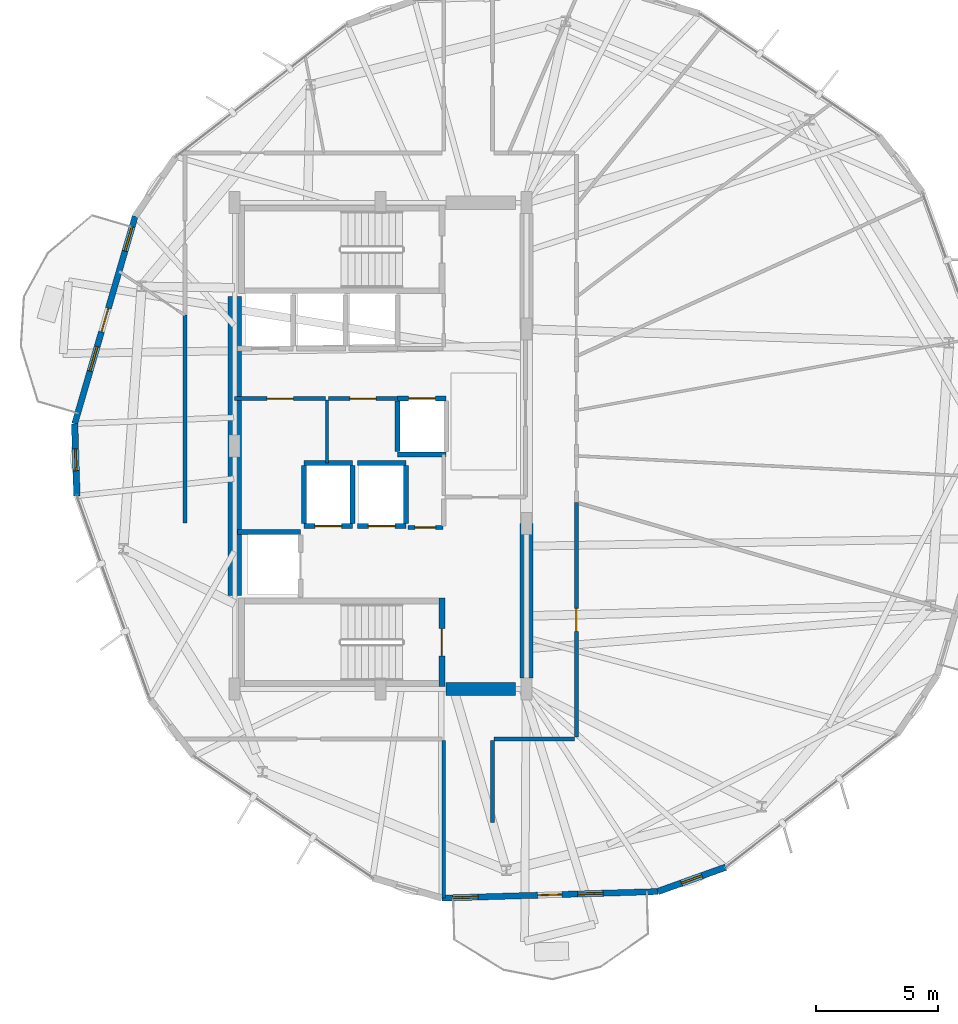
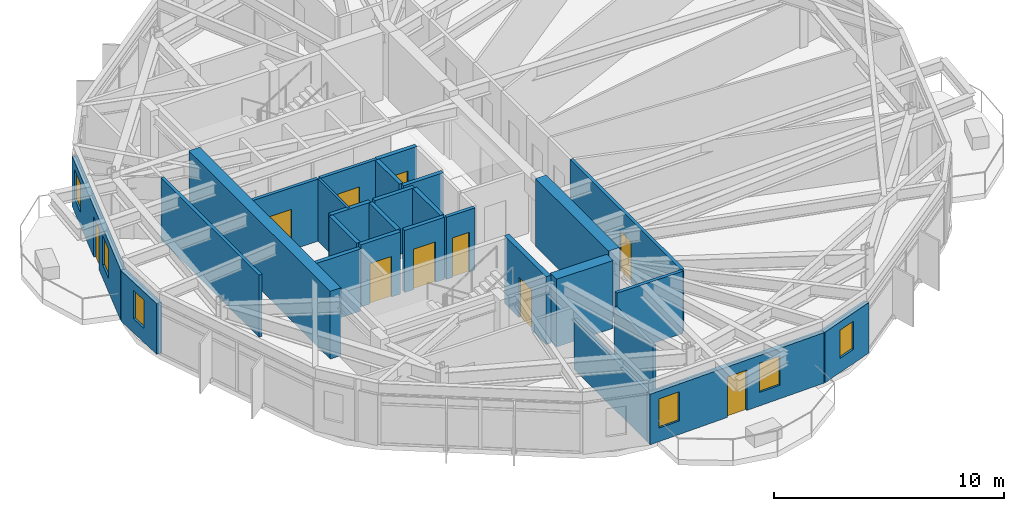
# One storey, part 18 of 23: 28 walls, 10 doors, 6 windows, 16 openings.
"""IFC4 building model written with IfcOpenShell, lengths in metres."""

from ifc_helpers import new_model, si_unit, direction, frame, frame_2d, origin, place, context, subcontext, project, spatial, rectangle, extrude, material, layer, layer_set, type_object, element, fill, save


model = new_model("IFC4")

# Units and contexts
model_context = context("Model", 3, precision=1e-05, world=origin(), true_north=direction((0.0, 1.0)))
body_context = subcontext(model_context, "Body", "Model", "MODEL_VIEW")
ifc_project = project(units=[si_unit("LENGTHUNIT", "METRE"), si_unit("AREAUNIT", "SQUARE_METRE"), si_unit("VOLUMEUNIT", "CUBIC_METRE"), si_unit("PLANEANGLEUNIT", "RADIAN"), si_unit("MASSUNIT", "GRAM", prefix="KILO")], contexts=[model_context])

# Site, building, storey
site_placement = place(None, origin())
site = spatial("IfcSite", under=ifc_project, at=site_placement, CompositionType="ELEMENT")
building_placement = place(site_placement, origin())
building = spatial("IfcBuilding", under=site, at=building_placement, Name="Soratama Intermodal Tower", CompositionType="ELEMENT")
storey_placement = place(building_placement, frame((0.0, 0.0, 171.39990234375)))
storey = spatial("IfcBuildingStorey", under=building, at=storey_placement, Name="L42", CompositionType="ELEMENT", Elevation=171.39990234375)

# Wall, openings, door, windows
ifc_material_1 = material(Name="Concrete f'c 42 MPa", Category="concrete")
ifc_layer_1 = layer(ifc_material_1, 0.25)
ifc_layer_set_1 = layer_set([ifc_layer_1], Name="Concrete f'c 42 MPa")
wall_type_1 = type_object("IfcWallType", Name="EW-BAL-250", PredefinedType="SOLIDWALL", material=ifc_layer_set_1)
wall_1_placement = place(storey_placement, frame((28.5078125, 34.438720703125, 0.0), z_axis=(0.0, 0.0, 1.0), x_axis=(-0.28, -0.96, 0.0)))
wall_1 = element("IfcWall", 1, at=wall_1_placement, inside=storey, type_object=wall_type_1, Name="L42 Terrace Wall F04", PredefinedType="SOLIDWALL", context=body_context, shape_type="SweptSolid", body=[
    extrude(rectangle(XDim=8.88671875, YDim=0.25, at=frame_2d((4.443359375, 0.0))), origin(), (0.0, 0.0, 1.0), 2.67919921875),
])
opening_1_placement = place(wall_1_placement, frame((3.943359375, 0.0, 0.0)))
opening_1 = element("IfcOpeningElement", 2, at=opening_1_placement, cuts=wall_1, Name="Opening ED-2", PredefinedType="OPENING", context=body_context, shape_type="SweptSolid", body=[
    extrude(rectangle(XDim=1.0, YDim=2.14990234375, at=frame_2d((0.5, 1.074951171875))), frame((0.0, 0.135009765625, 0.0), z_axis=(0.0, -1.0, 0.0), x_axis=(1.0, 0.0, 0.0)), (0.0, 0.0, 1.0), 0.27001953125),
])
opening_2_placement = place(wall_1_placement, frame((0.43994140625, 0.0, 0.719970703125)))
opening_2 = element("IfcOpeningElement", 3, at=opening_2_placement, cuts=wall_1, Name="Opening WN-5", PredefinedType="OPENING", context=body_context, shape_type="SweptSolid", body=[
    extrude(rectangle(XDim=1.050048828125, YDim=1.550048828125, at=frame_2d((0.52490234375, 0.77490234375))), frame((0.0, 0.135009765625, 0.0), z_axis=(0.0, -1.0, 0.0), x_axis=(1.0, 0.0, 0.0)), (0.0, 0.0, 1.0), 0.27001953125),
])
opening_3_placement = place(wall_1_placement, frame((5.583251953125, 0.0, 0.719970703125)))
opening_3 = element("IfcOpeningElement", 4, at=opening_3_placement, cuts=wall_1, Name="Opening WN-5", PredefinedType="OPENING", context=body_context, shape_type="SweptSolid", body=[
    extrude(rectangle(XDim=1.050048828125, YDim=1.550048828125, at=frame_2d((0.52490234375, 0.77490234375))), frame((0.0, 0.135009765625, 0.0), z_axis=(0.0, -1.0, 0.0), x_axis=(1.0, 0.0, 0.0)), (0.0, 0.0, 1.0), 0.27001953125),
])
ifc_material_2 = material(Name="Double-glazed aluminium door", Category="aluminium")
door_type_1 = type_object("IfcDoorType", Name="DR-BAL-1000", OperationType="NOTDEFINED", PredefinedType="DOOR", material=ifc_material_2)
door_1_placement = place(opening_1_placement, origin())
door_1 = element("IfcDoor", 5, at=door_1_placement, inside=storey, type_object=door_type_1, Name="L42 Balcony Door F04", OperationType="SINGLE_SWING_RIGHT", OverallHeight=2.14990234375, OverallWidth=1.0, PredefinedType="DOOR", context=body_context, shape_type="SweptSolid", body=[
    extrude(rectangle(XDim=1.0, YDim=2.14990234375, at=frame_2d((0.5, 1.074951171875))), frame((0.0, 0.02490234375, 0.0), z_axis=(0.0, -1.0, 0.0), x_axis=(1.0, 0.0, 0.0)), (0.0, 0.0, 1.0), 0.050048828125),
])
fill(opening_1, door_1)
ifc_material_3 = material(Name="Double-glazed aluminium window", Category="aluminium")
window_type_1 = type_object("IfcWindowType", Name="WN-FAC-1050", PartitioningType="SINGLE_PANEL", PredefinedType="WINDOW", material=ifc_material_3)
window_1_placement = place(opening_2_placement, origin())
window_1 = element("IfcWindow", 6, at=window_1_placement, inside=storey, type_object=window_type_1, Name="L42 Window A F04", OverallHeight=1.550048828125, OverallWidth=1.050048828125, PartitioningType="SINGLE_PANEL", PredefinedType="WINDOW", context=body_context, shape_type="SweptSolid", body=[
    extrude(rectangle(XDim=1.050048828125, YDim=1.550048828125, at=frame_2d((0.52490234375, 0.77490234375))), frame((0.0, 0.030029296875, 0.0), z_axis=(0.0, -1.0, 0.0), x_axis=(1.0, 0.0, 0.0)), (0.0, 0.0, 1.0), 0.06005859375),
])
fill(opening_2, window_1)
window_2_placement = place(opening_3_placement, origin())
window_2 = element("IfcWindow", 7, at=window_2_placement, inside=storey, type_object=window_type_1, Name="L42 Window B F04", OverallHeight=1.550048828125, OverallWidth=1.050048828125, PartitioningType="SINGLE_PANEL", PredefinedType="WINDOW", context=body_context, shape_type="SweptSolid", body=[
    extrude(rectangle(XDim=1.050048828125, YDim=1.550048828125, at=frame_2d((0.52490234375, 0.77490234375))), frame((0.0, 0.030029296875, 0.0), z_axis=(0.0, -1.0, 0.0), x_axis=(1.0, 0.0, 0.0)), (0.0, 0.0, 1.0), 0.06005859375),
])
fill(opening_3, window_2)

wall_2_placement = place(storey_placement, frame((41.11962890625, 6.3984375, 0.0), z_axis=(0.0, 0.0, 1.0), x_axis=(0.999539110065, 0.030357329429, 0.0)))
wall_2 = element("IfcWall", 8, at=wall_2_placement, inside=storey, type_object=wall_type_1, Name="L42 Terrace Wall F07", PredefinedType="SOLIDWALL", context=body_context, shape_type="SweptSolid", body=[
    extrude(rectangle(XDim=8.88671875, YDim=0.25, at=frame_2d((4.443359375, 0.0))), origin(), (0.0, 0.0, 1.0), 2.67919921875),
])
opening_4_placement = place(wall_2_placement, frame((3.943359375, 0.0, 0.0)))
opening_4 = element("IfcOpeningElement", 9, at=opening_4_placement, cuts=wall_2, Name="Opening ED-2", PredefinedType="OPENING", context=body_context, shape_type="SweptSolid", body=[
    extrude(rectangle(XDim=1.0, YDim=2.14990234375, at=frame_2d((0.5, 1.074951171875))), frame((0.0, 0.135009765625, 0.0), z_axis=(0.0, -1.0, 0.0), x_axis=(1.0, 0.0, 0.0)), (0.0, 0.0, 1.0), 0.27001953125),
])
opening_5_placement = place(wall_2_placement, frame((0.43994140625, 0.0, 0.719970703125)))
opening_5 = element("IfcOpeningElement", 10, at=opening_5_placement, cuts=wall_2, Name="Opening WN-5", PredefinedType="OPENING", context=body_context, shape_type="SweptSolid", body=[
    extrude(rectangle(XDim=1.050048828125, YDim=1.550048828125, at=frame_2d((0.52490234375, 0.77490234375))), frame((0.0, 0.135009765625, 0.0), z_axis=(0.0, -1.0, 0.0), x_axis=(1.0, 0.0, 0.0)), (0.0, 0.0, 1.0), 0.27001953125),
])
opening_6_placement = place(wall_2_placement, frame((5.583251953125, 0.0, 0.719970703125)))
opening_6 = element("IfcOpeningElement", 11, at=opening_6_placement, cuts=wall_2, Name="Opening WN-5", PredefinedType="OPENING", context=body_context, shape_type="SweptSolid", body=[
    extrude(rectangle(XDim=1.050048828125, YDim=1.550048828125, at=frame_2d((0.52490234375, 0.77490234375))), frame((0.0, 0.135009765625, 0.0), z_axis=(0.0, -1.0, 0.0), x_axis=(1.0, 0.0, 0.0)), (0.0, 0.0, 1.0), 0.27001953125),
])
door_2_placement = place(opening_4_placement, origin())
door_2 = element("IfcDoor", 12, at=door_2_placement, inside=storey, type_object=door_type_1, Name="L42 Balcony Door F07", OperationType="SINGLE_SWING_LEFT", OverallHeight=2.14990234375, OverallWidth=1.0, PredefinedType="DOOR", context=body_context, shape_type="SweptSolid", body=[
    extrude(rectangle(XDim=1.0, YDim=2.14990234375, at=frame_2d((0.5, 1.074951171875))), frame((0.0, 0.02490234375, 0.0), z_axis=(0.0, -1.0, 0.0), x_axis=(1.0, 0.0, 0.0)), (0.0, 0.0, 1.0), 0.050048828125),
])
fill(opening_4, door_2)
window_3_placement = place(opening_5_placement, origin())
window_3 = element("IfcWindow", 13, at=window_3_placement, inside=storey, type_object=window_type_1, Name="L42 Window A F07", OverallHeight=1.550048828125, OverallWidth=1.050048828125, PartitioningType="SINGLE_PANEL", PredefinedType="WINDOW", context=body_context, shape_type="SweptSolid", body=[
    extrude(rectangle(XDim=1.050048828125, YDim=1.550048828125, at=frame_2d((0.52490234375, 0.77490234375))), frame((0.0, 0.030029296875, 0.0), z_axis=(0.0, -1.0, 0.0), x_axis=(1.0, 0.0, 0.0)), (0.0, 0.0, 1.0), 0.06005859375),
])
fill(opening_5, window_3)
window_4_placement = place(opening_6_placement, origin())
window_4 = element("IfcWindow", 14, at=window_4_placement, inside=storey, type_object=window_type_1, Name="L42 Window B F07", OverallHeight=1.550048828125, OverallWidth=1.050048828125, PartitioningType="SINGLE_PANEL", PredefinedType="WINDOW", context=body_context, shape_type="SweptSolid", body=[
    extrude(rectangle(XDim=1.050048828125, YDim=1.550048828125, at=frame_2d((0.52490234375, 0.77490234375))), frame((0.0, 0.030029296875, 0.0), z_axis=(0.0, -1.0, 0.0), x_axis=(1.0, 0.0, 0.0)), (0.0, 0.0, 1.0), 0.06005859375),
])
fill(opening_6, window_4)

# Wall, opening, window
ifc_material_4 = material(Name="Concrete f'c 42 MPa", Category="concrete")
ifc_layer_2 = layer(ifc_material_4, 0.27001953125)
ifc_layer_set_2 = layer_set([ifc_layer_2], Name="Concrete f'c 42 MPa")
wall_type_2 = type_object("IfcWallType", Name="EW-CRN-270", PredefinedType="SOLIDWALL", material=ifc_layer_set_2)
wall_3_placement = place(storey_placement, frame((26.01953125, 25.907470703125, 0.0), z_axis=(0.0, 0.0, 1.0), x_axis=(0.030366361796, -0.999538835699, 0.0)))
wall_3 = element("IfcWall", 15, at=wall_3_placement, inside=storey, type_object=wall_type_2, Name="L42 Corner Closure Wall 04", PredefinedType="SOLIDWALL", context=body_context, shape_type="SweptSolid", body=[
    extrude(rectangle(XDim=2.966796875, YDim=0.27001953125, at=frame_2d((1.4833984375, 0.0))), origin(), (0.0, 0.0, 1.0), 2.67919921875),
])
opening_7_placement = place(wall_3_placement, frame((1.033203125, 0.0, 0.75)))
opening_7 = element("IfcOpeningElement", 16, at=opening_7_placement, cuts=wall_3, Name="Opening WN-6", PredefinedType="OPENING", context=body_context, shape_type="SweptSolid", body=[
    extrude(rectangle(XDim=0.89990234375, YDim=1.5, at=frame_2d((0.449951171875, 0.75))), frame((0.0, 0.14501953125, 0.0), z_axis=(0.0, -1.0, 0.0), x_axis=(1.0, 0.0, 0.0)), (0.0, 0.0, 1.0), 0.2900390625),
])
ifc_material_5 = material(Name="Double-glazed aluminium window", Category="aluminium")
window_type_2 = type_object("IfcWindowType", Name="WN-FAC-900", PartitioningType="SINGLE_PANEL", PredefinedType="WINDOW", material=ifc_material_5)
window_5_placement = place(opening_7_placement, origin())
window_5 = element("IfcWindow", 17, at=window_5_placement, inside=storey, type_object=window_type_2, Name="L42 Corner Window 04", OverallHeight=1.5, OverallWidth=0.89990234375, PartitioningType="SINGLE_PANEL", PredefinedType="WINDOW", context=body_context, shape_type="SweptSolid", body=[
    extrude(rectangle(XDim=0.89990234375, YDim=1.5, at=frame_2d((0.449951171875, 0.75))), frame((0.0, 0.030029296875, 0.0), z_axis=(0.0, -1.0, 0.0), x_axis=(1.0, 0.0, 0.0)), (0.0, 0.0, 1.0), 0.06005859375),
])
fill(opening_7, window_5)

wall_4_placement = place(storey_placement, frame((50.002197265625, 6.668212890625, 0.0), z_axis=(0.0, 0.0, 1.0), x_axis=(0.94123626771, 0.337748853955, 0.0)))
wall_4 = element("IfcWall", 18, at=wall_4_placement, inside=storey, type_object=wall_type_2, Name="L42 Corner Closure Wall 07", PredefinedType="SOLIDWALL", context=body_context, shape_type="SweptSolid", body=[
    extrude(rectangle(XDim=2.966552734375, YDim=0.27001953125, at=frame_2d((1.4833984375, 0.0))), origin(), (0.0, 0.0, 1.0), 2.67919921875),
])
opening_8_placement = place(wall_4_placement, frame((1.033203125, 0.0, 0.75)))
opening_8 = element("IfcOpeningElement", 19, at=opening_8_placement, cuts=wall_4, Name="Opening WN-6", PredefinedType="OPENING", context=body_context, shape_type="SweptSolid", body=[
    extrude(rectangle(XDim=0.89990234375, YDim=1.5, at=frame_2d((0.449951171875, 0.75))), frame((0.0, 0.14501953125, 0.0), z_axis=(0.0, -1.0, 0.0), x_axis=(1.0, 0.0, 0.0)), (0.0, 0.0, 1.0), 0.2900390625),
])
window_6_placement = place(opening_8_placement, origin())
window_6 = element("IfcWindow", 20, at=window_6_placement, inside=storey, type_object=window_type_2, Name="L42 Corner Window 07", OverallHeight=1.5, OverallWidth=0.89990234375, PartitioningType="SINGLE_PANEL", PredefinedType="WINDOW", context=body_context, shape_type="SweptSolid", body=[
    extrude(rectangle(XDim=0.89990234375, YDim=1.5, at=frame_2d((0.449951171875, 0.75))), frame((0.0, 0.030029296875, 0.0), z_axis=(0.0, -1.0, 0.0), x_axis=(1.0, 0.0, 0.0)), (0.0, 0.0, 1.0), 0.06005859375),
])
fill(opening_8, window_6)

# Wall, opening, door
ifc_material_6 = material(Name="Fire-rated gypsum stud partition", Category="concrete")
ifc_layer_3 = layer(ifc_material_6, 0.159912109375)
ifc_layer_set_3 = layer_set([ifc_layer_3], Name="Fire-rated gypsum stud partition")
wall_type_3 = type_object("IfcWallType", Name="IW-PART-R160", PredefinedType="PARTITIONING", material=ifc_layer_set_3)
wall_5_placement = place(storey_placement, frame((46.64990234375, 22.66796875, 0.0), z_axis=(0.0, 0.0, 1.0), x_axis=(0.0, -1.0, 0.0)))
wall_5 = element("IfcWall", 21, at=wall_5_placement, inside=storey, type_object=wall_type_3, Name="L42 Partition W-L42-TP007", PredefinedType="PARTITIONING", context=body_context, shape_type="SweptSolid", body=[
    extrude(rectangle(XDim=9.64794921875, YDim=0.159912109375, at=frame_2d((4.823974609375, 0.0))), origin(), (0.0, 0.0, 1.0), 3.300048828125),
])
opening_9_placement = place(wall_5_placement, frame((4.34912109375, 0.0, 0.0)))
opening_9 = element("IfcOpeningElement", 22, at=opening_9_placement, cuts=wall_5, Name="Opening ID-3", PredefinedType="OPENING", context=body_context, shape_type="SweptSolid", body=[
    extrude(rectangle(XDim=0.949951171875, YDim=2.14990234375, at=frame_2d((0.47509765625, 1.074951171875))), frame((0.0, 0.08984375, 0.0), z_axis=(0.0, -1.0, 0.0), x_axis=(1.0, 0.0, 0.0)), (0.0, 0.0, 1.0), 0.179931640625),
])
ifc_material_7 = material(Name="Solid hardwood acoustic door", Category="wood")
door_type_2 = type_object("IfcDoorType", Name="DR-ROOM-950", OperationType="NOTDEFINED", PredefinedType="DOOR", material=ifc_material_7)
door_3_placement = place(opening_9_placement, origin())
door_3 = element("IfcDoor", 23, at=door_3_placement, inside=storey, type_object=door_type_2, Name="L42 Door D-L42-TP002", OperationType="SINGLE_SWING_LEFT", OverallHeight=2.14990234375, OverallWidth=0.949951171875, PredefinedType="DOOR", context=body_context, shape_type="SweptSolid", body=[
    extrude(rectangle(XDim=0.949951171875, YDim=2.14990234375, at=frame_2d((0.47509765625, 1.074951171875))), frame((0.0, 0.02490234375, 0.0), z_axis=(0.0, -1.0, 0.0), x_axis=(1.0, 0.0, 0.0)), (0.0, 0.0, 1.0), 0.050048828125),
])
fill(opening_9, door_3)

# Wall
wall_6_placement = place(storey_placement, frame((41.199951171875, 6.40087890625, 0.0), z_axis=(0.0, 0.0, 1.0), x_axis=(0.0, 1.0, 0.0)))
element("IfcWall", 24, at=wall_6_placement, inside=storey, type_object=wall_type_3, Name="L42 Partition W-L42-TP012", PredefinedType="PARTITIONING", context=body_context, shape_type="SweptSolid", body=[
    extrude(rectangle(XDim=6.47900390625, YDim=0.159912109375, at=frame_2d((3.239501953125, 0.0))), origin(), (0.0, 0.0, 1.0), 2.677978515625),
])

# Wall, opening, door
wall_7_placement = place(storey_placement, frame((36.340087890625, 26.93994140625, 0.0), z_axis=(0.0, 0.0, 1.0), x_axis=(-1.0, 0.0, 0.0)))
wall_7 = element("IfcWall", 25, at=wall_7_placement, inside=storey, type_object=wall_type_3, Name="L42 Partition W-L42-TP019", PredefinedType="PARTITIONING", context=body_context, shape_type="SweptSolid", body=[
    extrude(rectangle(XDim=3.739990234375, YDim=0.159912109375, at=frame_2d((1.8701171875, 0.0))), origin(), (0.0, 0.0, 1.0), 3.300048828125),
])
opening_10_placement = place(wall_7_placement, frame((1.330078125, 0.0, 0.0)))
opening_10 = element("IfcOpeningElement", 26, at=opening_10_placement, cuts=wall_7, Name="Opening ID-1", PredefinedType="OPENING", context=body_context, shape_type="SweptSolid", body=[
    extrude(rectangle(XDim=1.080078125, YDim=2.14990234375, at=frame_2d((0.5400390625, 1.074951171875))), frame((0.0, 0.08984375, 0.0), z_axis=(0.0, -1.0, 0.0), x_axis=(1.0, 0.0, 0.0)), (0.0, 0.0, 1.0), 0.179931640625),
])
ifc_material_8 = material(Name="Solid hardwood acoustic door", Category="wood")
door_type_3 = type_object("IfcDoorType", Name="DR-LOB-FD60", OperationType="NOTDEFINED", PredefinedType="DOOR", material=ifc_material_8)
door_4_placement = place(opening_10_placement, origin())
door_4 = element("IfcDoor", 27, at=door_4_placement, inside=storey, type_object=door_type_3, Name="L42 Door D-L42-TP009", OperationType="SINGLE_SWING_RIGHT", OverallHeight=2.14990234375, OverallWidth=1.080078125, PredefinedType="DOOR", context=body_context, shape_type="SweptSolid", body=[
    extrude(rectangle(XDim=1.080078125, YDim=2.14990234375, at=frame_2d((0.5400390625, 1.074951171875))), frame((0.0, 0.02490234375, 0.0), z_axis=(0.0, -1.0, 0.0), x_axis=(1.0, 0.0, 0.0)), (0.0, 0.0, 1.0), 0.050048828125),
])
fill(opening_10, door_4)

# Wall
wall_8_placement = place(storey_placement, frame((46.580078125, 12.949951171875, 0.0), z_axis=(0.0, 0.0, 1.0), x_axis=(-1.0, 0.0, 0.0)))
element("IfcWall", 28, at=wall_8_placement, inside=storey, type_object=wall_type_3, Name="L42 Partition W-L42-TP021", PredefinedType="PARTITIONING", context=body_context, shape_type="SweptSolid", body=[
    extrude(rectangle(XDim=3.31005859375, YDim=0.159912109375, at=frame_2d((1.655029296875, 0.0))), origin(), (0.0, 0.0, 1.0), 3.300048828125),
])

# Wall, opening, door
wall_9_placement = place(storey_placement, frame((39.300048828125, 26.93994140625, 0.0), z_axis=(0.0, 0.0, 1.0), x_axis=(-1.0, 0.0, 0.0)))
wall_9 = element("IfcWall", 29, at=wall_9_placement, inside=storey, type_object=wall_type_3, Name="L42 Partition W-L42-TP023", PredefinedType="PARTITIONING", context=body_context, shape_type="SweptSolid", body=[
    extrude(rectangle(XDim=2.840087890625, YDim=0.159912109375, at=frame_2d((1.419921875, 0.0))), origin(), (0.0, 0.0, 1.0), 3.300048828125),
])
opening_11_placement = place(wall_9_placement, frame((0.8798828125, 0.0, 0.0)))
opening_11 = element("IfcOpeningElement", 30, at=opening_11_placement, cuts=wall_9, Name="Opening ID-1", PredefinedType="OPENING", context=body_context, shape_type="SweptSolid", body=[
    extrude(rectangle(XDim=1.080078125, YDim=2.14990234375, at=frame_2d((0.5400390625, 1.074951171875))), frame((0.0, 0.08984375, 0.0), z_axis=(0.0, -1.0, 0.0), x_axis=(1.0, 0.0, 0.0)), (0.0, 0.0, 1.0), 0.179931640625),
])
door_5_placement = place(opening_11_placement, origin())
door_5 = element("IfcDoor", 31, at=door_5_placement, inside=storey, type_object=door_type_3, Name="L42 Door D-L42-TP011", OperationType="SINGLE_SWING_RIGHT", OverallHeight=2.14990234375, OverallWidth=1.080078125, PredefinedType="DOOR", context=body_context, shape_type="SweptSolid", body=[
    extrude(rectangle(XDim=1.080078125, YDim=2.14990234375, at=frame_2d((0.5400390625, 1.074951171875))), frame((0.0, 0.02490234375, 0.0), z_axis=(0.0, -1.0, 0.0), x_axis=(1.0, 0.0, 0.0)), (0.0, 0.0, 1.0), 0.050048828125),
])
fill(opening_11, door_5)

# Walls
wall_10_placement = place(storey_placement, frame((30.550048828125, 21.825927734375, 0.0), z_axis=(0.0, 0.0, 1.0), x_axis=(0.0, 1.0, 0.0)))
element("IfcWall", 32, at=wall_10_placement, inside=storey, type_object=wall_type_3, Name="L42 Partition W-L42-TP037", PredefinedType="PARTITIONING", context=body_context, shape_type="SweptSolid", body=[
    extrude(rectangle(XDim=8.544189453125, YDim=0.159912109375, at=frame_2d((4.27197265625, 0.0))), origin(), (0.0, 0.0, 1.0), 3.300048828125),
])
wall_11_placement = place(storey_placement, frame((43.199951171875, 12.8798828125, 0.0), z_axis=(0.0, 0.0, 1.0), x_axis=(0.0, -1.0, 0.0)))
element("IfcWall", 33, at=wall_11_placement, inside=storey, type_object=wall_type_3, Name="L42 Partition W-L42-TP038", PredefinedType="PARTITIONING", context=body_context, shape_type="SweptSolid", body=[
    extrude(rectangle(XDim=3.375, YDim=0.159912109375, at=frame_2d((1.6875, 0.0))), origin(), (0.0, 0.0, 1.0), 2.59521484375),
])

# Wall, opening, door
ifc_material_9 = material(Name="Fire-rated gypsum stud partition", Category="concrete")
ifc_layer_4 = layer(ifc_material_9, 0.169921875)
ifc_layer_set_4 = layer_set([ifc_layer_4], Name="Fire-rated gypsum stud partition")
wall_type_4 = type_object("IfcWallType", Name="IW-PART-R170", PredefinedType="PARTITIONING", material=ifc_layer_set_4)
wall_12_placement = place(storey_placement, frame((39.719970703125, 21.639892578125, 0.0), z_axis=(0.0, 0.0, 1.0), x_axis=(1.0, 0.0, 0.0)))
wall_12 = element("IfcWall", 34, at=wall_12_placement, inside=storey, type_object=wall_type_4, Name="L42 Partition W-L42-TP034", PredefinedType="PARTITIONING", context=body_context, shape_type="SweptSolid", body=[
    extrude(rectangle(XDim=1.43994140625, YDim=0.169921875, at=frame_2d((0.719970703125, 0.0))), origin(), (0.0, 0.0, 1.0), 3.300048828125),
])
opening_12_placement = place(wall_12_placement, frame((0.294921875, 0.0, 0.0)))
opening_12 = element("IfcOpeningElement", 35, at=opening_12_placement, cuts=wall_12, Name="Opening ID-4", PredefinedType="OPENING", context=body_context, shape_type="SweptSolid", body=[
    extrude(rectangle(XDim=0.85009765625, YDim=2.10009765625, at=frame_2d((0.425048828125, 1.050048828125))), frame((0.0, 0.094970703125, 0.0), z_axis=(0.0, -1.0, 0.0), x_axis=(1.0, 0.0, 0.0)), (0.0, 0.0, 1.0), 0.18994140625),
])
ifc_material_10 = material(Name="Solid hardwood acoustic door", Category="wood")
door_type_4 = type_object("IfcDoorType", Name="DR-BATH-850", OperationType="NOTDEFINED", PredefinedType="DOOR", material=ifc_material_10)
door_6_placement = place(opening_12_placement, origin())
door_6 = element("IfcDoor", 36, at=door_6_placement, inside=storey, type_object=door_type_4, Name="L42 Door D-L42-TP018", OperationType="SINGLE_SWING_LEFT", OverallHeight=2.10009765625, OverallWidth=0.85009765625, PredefinedType="DOOR", context=body_context, shape_type="SweptSolid", body=[
    extrude(rectangle(XDim=0.85009765625, YDim=2.10009765625, at=frame_2d((0.425048828125, 1.050048828125))), frame((0.0, 0.02490234375, 0.0), z_axis=(0.0, -1.0, 0.0), x_axis=(1.0, 0.0, 0.0)), (0.0, 0.0, 1.0), 0.050048828125),
])
fill(opening_12, door_6)

# Wall
ifc_material_11 = material(Name="Fire-rated gypsum stud partition", Category="concrete")
ifc_layer_5 = layer(ifc_material_11, 0.1201171875)
ifc_layer_set_5 = layer_set([ifc_layer_5], Name="Fire-rated gypsum stud partition")
wall_type_5 = type_object("IfcWallType", Name="IW-PART-S120", PredefinedType="PARTITIONING", material=ifc_layer_set_5)
wall_13_placement = place(storey_placement, frame((36.39990234375, 26.8798828125, 0.0), z_axis=(0.0, 0.0, 1.0), x_axis=(0.0, -1.0, 0.0)))
element("IfcWall", 37, at=wall_13_placement, inside=storey, type_object=wall_type_5, Name="L42 Partition W-L42-TP025", PredefinedType="PARTITIONING", context=body_context, shape_type="SweptSolid", body=[
    extrude(rectangle(XDim=2.579833984375, YDim=0.1201171875, at=frame_2d((1.2900390625, 0.0))), origin(), (0.0, 0.0, 1.0), 3.300048828125),
])

# Wall, opening, door
ifc_material_12 = material(Name="Concrete f'c 42 MPa", Category="concrete")
ifc_layer_6 = layer(ifc_material_12, 0.199951171875)
ifc_layer_set_6 = layer_set([ifc_layer_6], Name="Concrete f'c 42 MPa")
wall_type_6 = type_object("IfcWallType", Name="IW-SHAFT-200", PredefinedType="SOLIDWALL", material=ifc_layer_set_6)
wall_14_placement = place(storey_placement, frame((35.449951171875, 21.699951171875, 0.0), z_axis=(0.0, 0.0, 1.0), x_axis=(1.0, 0.0, 0.0)))
wall_14 = element("IfcWall", 38, at=wall_14_placement, inside=storey, type_object=wall_type_6, Name="L42 FFL-1 Hoistway Wall S", PredefinedType="SOLIDWALL", context=body_context, shape_type="SweptSolid", body=[
    extrude(rectangle(XDim=2.0, YDim=0.199951171875, at=frame_2d((1.0, 0.0))), origin(), (0.0, 0.0, 1.0), 3.300048828125),
])
opening_13_placement = place(wall_14_placement, frame((0.449951171875, 0.0, 0.0)))
opening_13 = element("IfcOpeningElement", 39, at=opening_13_placement, cuts=wall_14, Name="Opening LD-1", PredefinedType="OPENING", context=body_context, shape_type="SweptSolid", body=[
    extrude(rectangle(XDim=1.10009765625, YDim=2.14990234375, at=frame_2d((0.550048828125, 1.074951171875))), frame((0.0, 0.10986328125, 0.0), z_axis=(0.0, -1.0, 0.0), x_axis=(1.0, 0.0, 0.0)), (0.0, 0.0, 1.0), 0.219970703125),
])
ifc_material_13 = material(Name="Steel fire door", Category="steel")
door_type_5 = type_object("IfcDoorType", Name="DR-LIFT-SLIDE", OperationType="NOTDEFINED", PredefinedType="DOOR", material=ifc_material_13)
door_7_placement = place(opening_13_placement, origin())
door_7 = element("IfcDoor", 40, at=door_7_placement, inside=storey, type_object=door_type_5, Name="L42 FFL-1 Sliding Landing Door", OperationType="SLIDING_TO_LEFT", OverallHeight=2.14990234375, OverallWidth=1.10009765625, PredefinedType="DOOR", context=body_context, shape_type="SweptSolid", body=[
    extrude(rectangle(XDim=1.10009765625, YDim=2.14990234375, at=frame_2d((0.550048828125, 1.074951171875))), frame((0.0, 0.02490234375, 0.0), z_axis=(0.0, -1.0, 0.0), x_axis=(1.0, 0.0, 0.0)), (0.0, 0.0, 1.0), 0.050048828125),
])
fill(opening_13, door_7)

# Walls
wall_15_placement = place(storey_placement, frame((35.449951171875, 24.300048828125, 0.0), z_axis=(0.0, 0.0, 1.0), x_axis=(1.0, 0.0, 0.0)))
element("IfcWall", 41, at=wall_15_placement, inside=storey, type_object=wall_type_6, Name="L42 FFL-1 Hoistway Wall N", PredefinedType="SOLIDWALL", context=body_context, shape_type="SweptSolid", body=[
    extrude(rectangle(XDim=2.0, YDim=0.199951171875, at=frame_2d((1.0, 0.0))), origin(), (0.0, 0.0, 1.0), 3.300048828125),
])
for number, where, z_axis, x_axis, name in (
    (42, (35.449951171875, 21.81005859375, 0.0), (0.0, 0.0, 1.0), (0.0, 1.0, 0.0), "L42 FFL-1 Hoistway Wall W"),
    (43, (37.449951171875, 21.81005859375, 0.0), (0.0, 0.0, 1.0), (0.0, 1.0, 0.0), "L42 FFL-1 Hoistway Wall E"),
):
    element("IfcWall", number, at=place(storey_placement, frame(where, z_axis=z_axis, x_axis=x_axis)), inside=storey, type_object=wall_type_6, Name=name, PredefinedType="SOLIDWALL", context=body_context, shape_type="SweptSolid", body=[
        extrude(rectangle(XDim=2.3798828125, YDim=0.199951171875, at=frame_2d((1.18994140625, 0.0))), origin(), (0.0, 0.0, 1.0), 3.300048828125),
    ])

# Wall, opening, door
wall_16_placement = place(storey_placement, frame((37.64990234375, 21.699951171875, 0.0), z_axis=(0.0, 0.0, 1.0), x_axis=(1.0, 0.0, 0.0)))
wall_16 = element("IfcWall", 44, at=wall_16_placement, inside=storey, type_object=wall_type_6, Name="L42 FFL-2 Hoistway Wall S", PredefinedType="SOLIDWALL", context=body_context, shape_type="SweptSolid", body=[
    extrude(rectangle(XDim=2.0, YDim=0.199951171875, at=frame_2d((1.0, 0.0))), origin(), (0.0, 0.0, 1.0), 3.300048828125),
])
opening_14_placement = place(wall_16_placement, frame((0.449951171875, 0.0, 0.0)))
opening_14 = element("IfcOpeningElement", 45, at=opening_14_placement, cuts=wall_16, Name="Opening LD-1", PredefinedType="OPENING", context=body_context, shape_type="SweptSolid", body=[
    extrude(rectangle(XDim=1.10009765625, YDim=2.14990234375, at=frame_2d((0.550048828125, 1.074951171875))), frame((0.0, 0.10986328125, 0.0), z_axis=(0.0, -1.0, 0.0), x_axis=(1.0, 0.0, 0.0)), (0.0, 0.0, 1.0), 0.219970703125),
])
door_8_placement = place(opening_14_placement, origin())
door_8 = element("IfcDoor", 46, at=door_8_placement, inside=storey, type_object=door_type_5, Name="L42 FFL-2 Sliding Landing Door", OperationType="SLIDING_TO_LEFT", OverallHeight=2.14990234375, OverallWidth=1.10009765625, PredefinedType="DOOR", context=body_context, shape_type="SweptSolid", body=[
    extrude(rectangle(XDim=1.10009765625, YDim=2.14990234375, at=frame_2d((0.550048828125, 1.074951171875))), frame((0.0, 0.02490234375, 0.0), z_axis=(0.0, -1.0, 0.0), x_axis=(1.0, 0.0, 0.0)), (0.0, 0.0, 1.0), 0.050048828125),
])
fill(opening_14, door_8)

# Walls
wall_17_placement = place(storey_placement, frame((37.64990234375, 24.300048828125, 0.0), z_axis=(0.0, 0.0, 1.0), x_axis=(1.0, 0.0, 0.0)))
element("IfcWall", 47, at=wall_17_placement, inside=storey, type_object=wall_type_6, Name="L42 FFL-2 Hoistway Wall N", PredefinedType="SOLIDWALL", context=body_context, shape_type="SweptSolid", body=[
    extrude(rectangle(XDim=2.0, YDim=0.199951171875, at=frame_2d((1.0, 0.0))), origin(), (0.0, 0.0, 1.0), 3.300048828125),
])
wall_18_placement = place(storey_placement, frame((39.64990234375, 21.81005859375, 0.0), z_axis=(0.0, 0.0, 1.0), x_axis=(0.0, 1.0, 0.0)))
element("IfcWall", 48, at=wall_18_placement, inside=storey, type_object=wall_type_6, Name="L42 FFL-2 Hoistway Wall E", PredefinedType="SOLIDWALL", context=body_context, shape_type="SweptSolid", body=[
    extrude(rectangle(XDim=2.3798828125, YDim=0.199951171875, at=frame_2d((1.18994140625, 0.0))), origin(), (0.0, 0.0, 1.0), 3.300048828125),
])
wall_19_placement = place(storey_placement, frame((32.719970703125, 21.449951171875, 0.0), z_axis=(0.0, 0.0, 1.0), x_axis=(1.0, 0.0, 0.0)))
element("IfcWall", 49, at=wall_19_placement, inside=storey, type_object=wall_type_6, Name="L42 SVL-1 Hoistway Wall N", PredefinedType="SOLIDWALL", context=body_context, shape_type="SweptSolid", body=[
    extrude(rectangle(XDim=2.580078125, YDim=0.199951171875, at=frame_2d((1.2900390625, 0.0))), origin(), (0.0, 0.0, 1.0), 3.300048828125),
])
wall_20_placement = place(storey_placement, frame((39.300048828125, 24.64990234375, 0.0), z_axis=(0.0, 0.0, 1.0), x_axis=(1.0, 0.0, 0.0)))
element("IfcWall", 50, at=wall_20_placement, inside=storey, type_object=wall_type_6, Name="L42 PL-M1 Hoistway Wall S", PredefinedType="SOLIDWALL", context=body_context, shape_type="SweptSolid", body=[
    extrude(rectangle(XDim=2.0, YDim=0.199951171875, at=frame_2d((1.0, 0.0))), origin(), (0.0, 0.0, 1.0), 3.300048828125),
])

# Wall, opening, door
wall_21_placement = place(storey_placement, frame((39.300048828125, 26.949951171875, 0.0), z_axis=(0.0, 0.0, 1.0), x_axis=(1.0, 0.0, 0.0)))
wall_21 = element("IfcWall", 51, at=wall_21_placement, inside=storey, type_object=wall_type_6, Name="L42 PL-M1 Hoistway Wall N", PredefinedType="SOLIDWALL", context=body_context, shape_type="SweptSolid", body=[
    extrude(rectangle(XDim=2.0, YDim=0.199951171875, at=frame_2d((1.0, 0.0))), origin(), (0.0, 0.0, 1.0), 3.300048828125),
])
opening_15_placement = place(wall_21_placement, frame((0.449951171875, 0.0, 0.0)))
opening_15 = element("IfcOpeningElement", 52, at=opening_15_placement, cuts=wall_21, Name="Opening LD-1", PredefinedType="OPENING", context=body_context, shape_type="SweptSolid", body=[
    extrude(rectangle(XDim=1.10009765625, YDim=2.14990234375, at=frame_2d((0.550048828125, 1.074951171875))), frame((0.0, 0.10986328125, 0.0), z_axis=(0.0, -1.0, 0.0), x_axis=(1.0, 0.0, 0.0)), (0.0, 0.0, 1.0), 0.219970703125),
])
door_9_placement = place(opening_15_placement, origin())
door_9 = element("IfcDoor", 53, at=door_9_placement, inside=storey, type_object=door_type_5, Name="L42 PL-M1 Sliding Landing Door", OperationType="SLIDING_TO_LEFT", OverallHeight=2.14990234375, OverallWidth=1.10009765625, PredefinedType="DOOR", context=body_context, shape_type="SweptSolid", body=[
    extrude(rectangle(XDim=1.10009765625, YDim=2.14990234375, at=frame_2d((0.550048828125, 1.074951171875))), frame((0.0, 0.02490234375, 0.0), z_axis=(0.0, -1.0, 0.0), x_axis=(1.0, 0.0, 0.0)), (0.0, 0.0, 1.0), 0.050048828125),
])
fill(opening_15, door_9)

# Walls
wall_22_placement = place(storey_placement, frame((39.300048828125, 24.760009765625, 0.0), z_axis=(0.0, 0.0, 1.0), x_axis=(0.0, 1.0, 0.0)))
element("IfcWall", 54, at=wall_22_placement, inside=storey, type_object=wall_type_6, Name="L42 PL-M1 Hoistway Wall W", PredefinedType="SOLIDWALL", context=body_context, shape_type="SweptSolid", body=[
    extrude(rectangle(XDim=2.080078125, YDim=0.199951171875, at=frame_2d((1.0400390625, 0.0))), origin(), (0.0, 0.0, 1.0), 3.300048828125),
])
ifc_material_14 = material(Name="Concrete f'c 56 MPa", Category="concrete")
ifc_layer_7 = layer(ifc_material_14, 0.550048828125)
ifc_layer_set_7 = layer_set([ifc_layer_7], Name="Concrete f'c 56 MPa")
wall_type_7 = type_object("IfcWallType", Name="SW-CORE-550", PredefinedType="SHEAR", material=ifc_layer_set_7)
wall_23_placement = place(storey_placement, frame((32.60009765625, 18.85009765625, 0.0), z_axis=(0.0, 0.0, 1.0), x_axis=(0.0, 1.0, 0.0)))
element("IfcWall", 55, at=wall_23_placement, inside=storey, type_object=wall_type_7, Name="L42 Core Shear Wall CW-WMID", PredefinedType="SHEAR", context=body_context, shape_type="SweptSolid", body=[
    extrude(rectangle(XDim=12.2998046875, YDim=0.550048828125, at=frame_2d((6.14990234375, 0.0))), origin(), (0.0, 0.0, 1.0), 3.60009765625),
])
wall_24_placement = place(storey_placement, frame((41.300048828125, 15.0, 0.0), z_axis=(0.0, 0.0, 1.0), x_axis=(1.0, 0.0, 0.0)))
element("IfcWall", 56, at=wall_24_placement, inside=storey, type_object=wall_type_7, Name="L42 Core Shear Wall CW-SE", PredefinedType="SHEAR", context=body_context, shape_type="SweptSolid", body=[
    extrude(rectangle(XDim=2.849853515625, YDim=0.550048828125, at=frame_2d((1.4248046875, 0.0))), origin(), (0.0, 0.0, 1.0), 3.60009765625),
])
wall_25_placement = place(storey_placement, frame((44.60009765625, 15.449951171875, 0.0), z_axis=(0.0, 0.0, 1.0), x_axis=(0.0, 1.0, 0.0)))
element("IfcWall", 57, at=wall_25_placement, inside=storey, type_object=wall_type_7, Name="L42 Core Shear Wall CW-ES", PredefinedType="SHEAR", context=body_context, shape_type="SweptSolid", body=[
    extrude(rectangle(XDim=6.35009765625, YDim=0.550048828125, at=frame_2d((3.175048828125, 0.0))), origin(), (0.0, 0.0, 1.0), 3.60009765625),
])

# Wall, opening, door
ifc_material_15 = material(Name="Concrete f'c 56 MPa", Category="concrete")
ifc_layer_8 = layer(ifc_material_15, 0.239990234375)
ifc_layer_set_8 = layer_set([ifc_layer_8], Name="Concrete f'c 56 MPa")
wall_type_8 = type_object("IfcWallType", Name="SW-STAIR-240", PredefinedType="SHEAR", material=ifc_layer_set_8)
wall_26_placement = place(storey_placement, frame((41.1201171875, 15.110107421875, 0.0), z_axis=(0.0, 0.0, 1.0), x_axis=(0.0, 1.0, 0.0)))
wall_26 = element("IfcWall", 58, at=wall_26_placement, inside=storey, type_object=wall_type_8, Name="L42 ST-1 Shaft Shear Wall E", PredefinedType="SHEAR", context=body_context, shape_type="SweptSolid", body=[
    extrude(rectangle(XDim=3.6298828125, YDim=0.239990234375, at=frame_2d((1.81494140625, 0.0))), origin(), (0.0, 0.0, 1.0), 3.60009765625),
])
opening_16_placement = place(wall_26_placement, frame((1.2548828125, 0.0, 0.0)))
opening_16 = element("IfcOpeningElement", 59, at=opening_16_placement, cuts=wall_26, Name="Opening SD-1", PredefinedType="OPENING", context=body_context, shape_type="SweptSolid", body=[
    extrude(rectangle(XDim=1.1201171875, YDim=2.14990234375, at=frame_2d((0.56005859375, 1.074951171875))), frame((0.0, 0.1298828125, 0.0), z_axis=(0.0, -1.0, 0.0), x_axis=(1.0, 0.0, 0.0)), (0.0, 0.0, 1.0), 0.260009765625),
])
ifc_material_16 = material(Name="Steel fire door", Category="steel")
door_type_6 = type_object("IfcDoorType", Name="DR-STAIR-FD90", OperationType="NOTDEFINED", PredefinedType="DOOR", material=ifc_material_16)
door_10_placement = place(opening_16_placement, origin())
door_10 = element("IfcDoor", 60, at=door_10_placement, inside=storey, type_object=door_type_6, Name="L42 ST-1 Exit Stair Door", OperationType="SINGLE_SWING_LEFT", OverallHeight=2.14990234375, OverallWidth=1.1201171875, PredefinedType="DOOR", context=body_context, shape_type="SweptSolid", body=[
    extrude(rectangle(XDim=1.1201171875, YDim=2.14990234375, at=frame_2d((0.56005859375, 1.074951171875))), frame((0.0, 0.02490234375, 0.0), z_axis=(0.0, -1.0, 0.0), x_axis=(1.0, 0.0, 0.0)), (0.0, 0.0, 1.0), 0.050048828125),
])
fill(opening_16, door_10)

save(model, "model.ifc")
